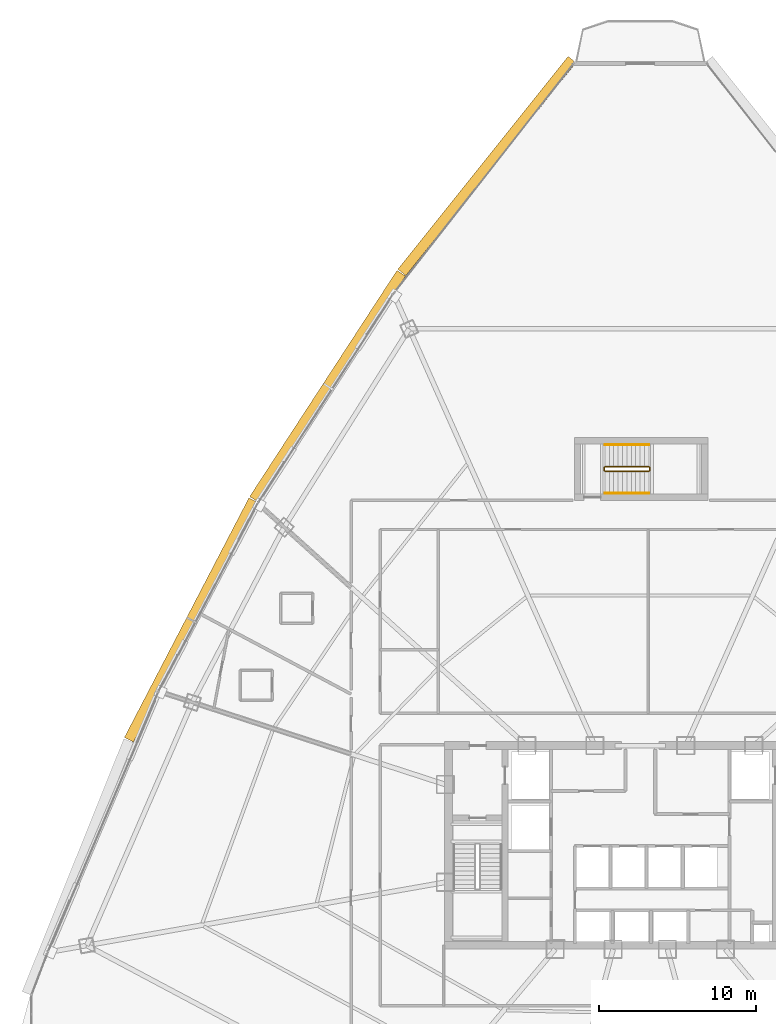
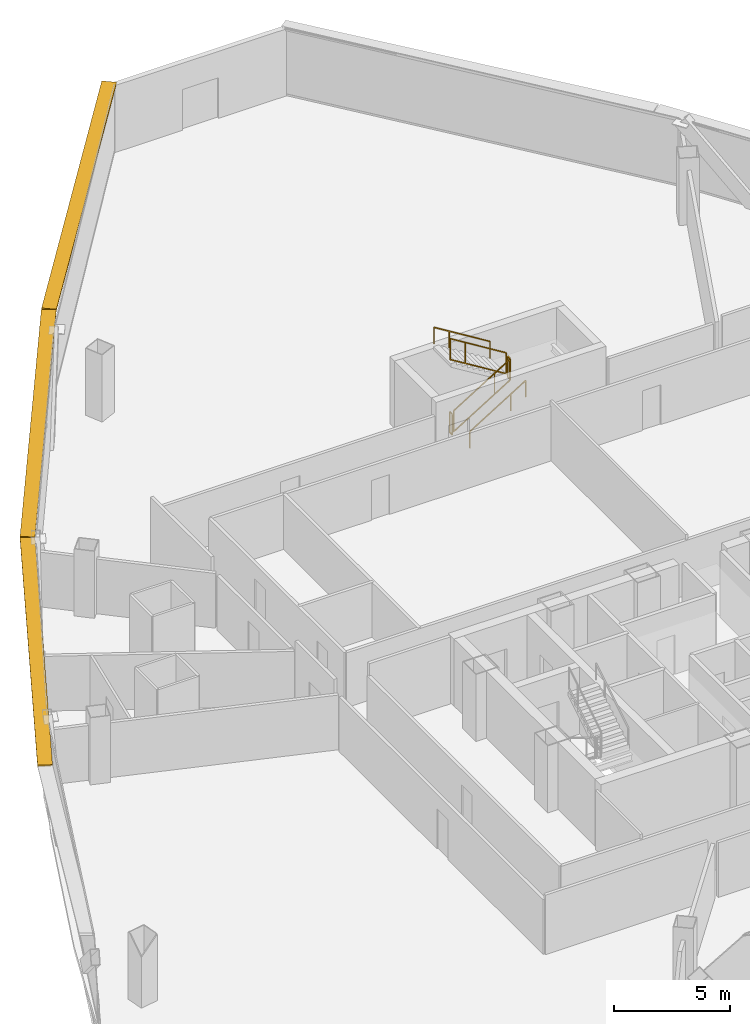
# One storey, part 39 of 40: 6 railings, 3 shading devices.
"""IFC4 building model written with IfcOpenShell, lengths in metres."""

from ifc_helpers import new_model, si_unit, direction, frame, origin, origin_2d, place, context, subcontext, project, spatial, rectangle, extrude, source, transform, mapped, material, layer, layer_set, type_object, element, save


model = new_model("IFC4")

# Units and contexts
model_context = context("Model", 3, precision=1e-05, world=origin(), true_north=direction((0.0, 1.0)))
body_context = subcontext(model_context, "Body", "Model", "MODEL_VIEW")
ifc_project = project(units=[si_unit("LENGTHUNIT", "METRE"), si_unit("AREAUNIT", "SQUARE_METRE"), si_unit("VOLUMEUNIT", "CUBIC_METRE"), si_unit("PLANEANGLEUNIT", "RADIAN"), si_unit("MASSUNIT", "GRAM", prefix="KILO"), si_unit("THERMODYNAMICTEMPERATUREUNIT", "KELVIN"), si_unit("POWERUNIT", "WATT")], contexts=[model_context])

# Site, building, storey
site_placement = place(None, origin())
site = spatial("IfcSite", under=ifc_project, at=site_placement, CompositionType="ELEMENT")
building_placement = place(site_placement, origin())
building = spatial("IfcBuilding", under=site, at=building_placement, Name="Yunzhuo Pagoda Commons", CompositionType="ELEMENT")
storey_placement = place(building_placement, frame((0.0, 0.0, 188.56005859375)))
storey = spatial("IfcBuildingStorey", under=building, at=storey_placement, Name="L47", CompositionType="ELEMENT", Elevation=188.56005859375)

# Railings
ifc_material = material(Name="Anodized aluminium 6063-T6", Category="aluminium")
railing_type_1 = type_object("IfcRailingType", Name="GR-ST3 North Well Guardrail 1155", PredefinedType="GUARDRAIL", material=ifc_material)
railing_1_placement = place(storey_placement, frame((45.75, 57.64990234375, 0.172607421875)))
element("IfcRailing", 1, at=railing_1_placement, inside=storey, type_object=railing_type_1, Name="L47 ST3 stair guard 1", PredefinedType="GUARDRAIL", context=body_context, shape_type="SweptSolid", body=[
    extrude(rectangle(XDim=0.048095703125, YDim=0.048095703125, at=origin_2d()), frame((0.0, 0.0, 1.1259765625), z_axis=(0.851089632645, 0.0, 0.525020415988), x_axis=(0.0, 1.0, 0.0)), (0.0, 0.0, 1.0), 3.2900390625),
    extrude(rectangle(XDim=0.048095703125, YDim=0.048095703125, at=origin_2d()), frame((0.0, 0.0, 0.02392578125), z_axis=(0.851089632645, 0.0, 0.525020415988), x_axis=(0.0, 1.0, 0.0)), (0.0, 0.0, 1.0), 3.2900390625),
    extrude(rectangle(XDim=0.0419921875, YDim=0.0419921875, at=origin_2d()), origin(), (0.0, 0.0, 1.0), 1.101806640625),
    extrude(rectangle(XDim=0.0419921875, YDim=0.0419921875, at=origin_2d()), frame((2.042724609375, 0.0, 1.260009765625)), (0.0, 0.0, 1.0), 1.101806640625),
    extrude(rectangle(XDim=0.0419921875, YDim=0.0419921875, at=origin_2d()), frame((2.800048828125, 0.0, 1.727294921875)), (0.0, 0.0, 1.0), 1.101806640625),
])
railing_2_placement = place(storey_placement, frame((48.60009765625, 57.699951171875, 1.89990234375)))
element("IfcRailing", 2, at=railing_2_placement, inside=storey, type_object=railing_type_1, Name="L47 ST3 stair guard 2", PredefinedType="GUARDRAIL", context=body_context, shape_type="SweptSolid", body=[
    extrude(rectangle(XDim=0.048095703125, YDim=0.048095703125, at=origin_2d()), frame((0.0, 0.0, 1.1259765625), z_axis=(0.0, 1.0, 0.0), x_axis=(-1.0, 0.0, 0.0)), (0.0, 0.0, 1.0), 0.199951171875),
    extrude(rectangle(XDim=0.048095703125, YDim=0.048095703125, at=origin_2d()), frame((0.0, 0.0, 0.02392578125), z_axis=(0.0, 1.0, 0.0), x_axis=(-1.0, 0.0, 0.0)), (0.0, 0.0, 1.0), 0.199951171875),
    extrude(rectangle(XDim=0.0419921875, YDim=0.0419921875, at=origin_2d()), origin(), (0.0, 0.0, 1.0), 1.101806640625),
    extrude(rectangle(XDim=0.0419921875, YDim=0.0419921875, at=origin_2d()), frame((0.0, 0.199951171875, 0.0)), (0.0, 0.0, 1.0), 1.101806640625),
])
railing_3_placement = place(storey_placement, frame((48.550048828125, 57.949951171875, 2.07275390625)))
element("IfcRailing", 3, at=railing_3_placement, inside=storey, type_object=railing_type_1, Name="L47 ST3 stair guard 3", PredefinedType="GUARDRAIL", context=body_context, shape_type="SweptSolid", body=[
    extrude(rectangle(XDim=0.048095703125, YDim=0.048095703125, at=origin_2d()), frame((0.0, 0.0, 1.1259765625), z_axis=(-0.851089632645, 0.0, 0.525020415988), x_axis=(0.0, -1.0, 0.0)), (0.0, 0.0, 1.0), 3.2900390625),
    extrude(rectangle(XDim=0.048095703125, YDim=0.048095703125, at=origin_2d()), frame((0.0, 0.0, 0.02392578125), z_axis=(-0.851089632645, 0.0, 0.525020415988), x_axis=(0.0, -1.0, 0.0)), (0.0, 0.0, 1.0), 3.2900390625),
    extrude(rectangle(XDim=0.0419921875, YDim=0.0419921875, at=origin_2d()), origin(), (0.0, 0.0, 1.0), 1.101806640625),
    extrude(rectangle(XDim=0.0419921875, YDim=0.0419921875, at=origin_2d()), frame((-2.042724609375, 0.0, 1.260009765625)), (0.0, 0.0, 1.0), 1.101806640625),
    extrude(rectangle(XDim=0.0419921875, YDim=0.0419921875, at=origin_2d()), frame((-2.800048828125, 0.0, 1.727294921875)), (0.0, 0.0, 1.0), 1.101806640625),
])
railing_4_placement = place(storey_placement, frame((45.699951171875, 57.699951171875, 0.0)))
element("IfcRailing", 4, at=railing_4_placement, inside=storey, type_object=railing_type_1, Name="L47 ST3 stair guard 4", PredefinedType="GUARDRAIL", context=body_context, shape_type="SweptSolid", body=[
    extrude(rectangle(XDim=0.048095703125, YDim=0.048095703125, at=origin_2d()), frame((0.0, 0.0, 1.1259765625), z_axis=(0.0, 1.0, 0.0), x_axis=(-1.0, 0.0, 0.0)), (0.0, 0.0, 1.0), 0.199951171875),
    extrude(rectangle(XDim=0.048095703125, YDim=0.048095703125, at=origin_2d()), frame((0.0, 0.0, 0.02392578125), z_axis=(0.0, 1.0, 0.0), x_axis=(-1.0, 0.0, 0.0)), (0.0, 0.0, 1.0), 0.199951171875),
    extrude(rectangle(XDim=0.0419921875, YDim=0.0419921875, at=origin_2d()), origin(), (0.0, 0.0, 1.0), 1.101806640625),
    extrude(rectangle(XDim=0.0419921875, YDim=0.0419921875, at=origin_2d()), frame((0.0, 0.199951171875, 0.0)), (0.0, 0.0, 1.0), 1.101806640625),
])
railing_type_2 = type_object("IfcRailingType", Name="HR-ST3 North Stair Handrail 900", PredefinedType="HANDRAIL", material=ifc_material)
railing_5_placement = place(storey_placement, frame((45.75, 56.25, 0.172607421875)))
element("IfcRailing", 5, at=railing_5_placement, inside=storey, type_object=railing_type_2, Name="L47 ST3 stair handrail 1", PredefinedType="HANDRAIL", context=body_context, shape_type="SweptSolid", body=[
    extrude(rectangle(XDim=0.048095703125, YDim=0.048095703125, at=origin_2d()), frame((0.0, 0.0, 0.8759765625), z_axis=(0.851089632645, 0.0, 0.525020415988), x_axis=(0.0, 1.0, 0.0)), (0.0, 0.0, 1.0), 3.2900390625),
    extrude(rectangle(XDim=0.0419921875, YDim=0.0419921875, at=origin_2d()), origin(), (0.0, 0.0, 1.0), 0.851806640625),
    extrude(rectangle(XDim=0.0419921875, YDim=0.0419921875, at=origin_2d()), frame((2.042724609375, 0.0, 1.260009765625)), (0.0, 0.0, 1.0), 0.851806640625),
    extrude(rectangle(XDim=0.0419921875, YDim=0.0419921875, at=origin_2d()), frame((2.800048828125, 0.0, 1.727294921875)), (0.0, 0.0, 1.0), 0.851806640625),
])
railing_6_placement = place(storey_placement, frame((48.550048828125, 59.35009765625, 2.07275390625)))
element("IfcRailing", 6, at=railing_6_placement, inside=storey, type_object=railing_type_2, Name="L47 ST3 stair handrail 2", PredefinedType="HANDRAIL", context=body_context, shape_type="SweptSolid", body=[
    extrude(rectangle(XDim=0.048095703125, YDim=0.048095703125, at=origin_2d()), frame((0.0, 0.0, 0.8759765625), z_axis=(-0.851089632645, 0.0, 0.525020415988), x_axis=(0.0, -1.0, 0.0)), (0.0, 0.0, 1.0), 3.2900390625),
    extrude(rectangle(XDim=0.0419921875, YDim=0.0419921875, at=origin_2d()), origin(), (0.0, 0.0, 1.0), 0.851806640625),
    extrude(rectangle(XDim=0.0419921875, YDim=0.0419921875, at=origin_2d()), frame((-2.042724609375, 0.0, 1.260009765625)), (0.0, 0.0, 1.0), 0.851806640625),
    extrude(rectangle(XDim=0.0419921875, YDim=0.0419921875, at=origin_2d()), frame((-2.800048828125, 0.0, 1.727294921875)), (0.0, 0.0, 1.0), 0.851806640625),
])

# Shading devices
ifc_layer = layer(ifc_material, 0.080078125)
ifc_layer_set = layer_set([ifc_layer], Name="Anodized aluminium 6063-T6")
shading_device_type = type_object("IfcShadingDeviceType", Name="SH-SUN1 Pagoda Horizontal Sunshade Eave 650", PredefinedType="USERDEFINED", material=ifc_layer_set)
shared_shape_1 = source(origin(), body_context, "Body", "SweptSolid", [
    extrude(rectangle(XDim=17.1708984375, YDim=0.64990234375, at=origin_2d()), origin(), (0.0, 0.0, 1.0), 0.080078125),
])
for number, where, z_axis, x_axis, name in (
    (7, (28.110107421875, 63.06298828125, 3.4599609375), (0.0, 0.0, 1.0), (-0.545838756973, -0.837890238269, 0.0), "L47 horizontal pagoda sunshade eave F3.2"),
    (8, (19.43212890625, 48.19677734375, 3.4599609375), (0.0, 0.0, 1.0), (-0.461206683033, -0.88729273384, 0.0), "L47 horizontal pagoda sunshade eave F3.3"),
):
    element("IfcShadingDevice", number, at=place(storey_placement, frame(where, z_axis=z_axis, x_axis=x_axis)), inside=storey, type_object=shading_device_type, Name=name, ObjectType="SUNSHADE", PredefinedType="USERDEFINED", context=body_context, shape_type="MappedRepresentation", body=[
        mapped(shared_shape_1, transform((0.0, 0.0, 0.0), scale=1.0)),
    ])
shared_shape_2 = source(origin(), body_context, "Body", "SweptSolid", [
    extrude(rectangle(XDim=17.33544921875, YDim=0.64990234375, at=origin_2d()), origin(), (0.0, 0.0, 1.0), 0.080078125),
])
shading_device_placement = place(storey_placement, frame((38.24658203125, 77.077392578125, 3.4599609375), z_axis=(0.0, 0.0, 1.0), x_axis=(-0.624520471688, -0.781008438138, 0.0)))
element("IfcShadingDevice", 9, at=shading_device_placement, inside=storey, type_object=shading_device_type, Name="L47 horizontal pagoda sunshade eave F3.1", ObjectType="SUNSHADE", PredefinedType="USERDEFINED", context=body_context, shape_type="MappedRepresentation", body=[
    mapped(shared_shape_2, transform((0.0, 0.0, 0.0), scale=1.0)),
])

save(model, "model.ifc")
